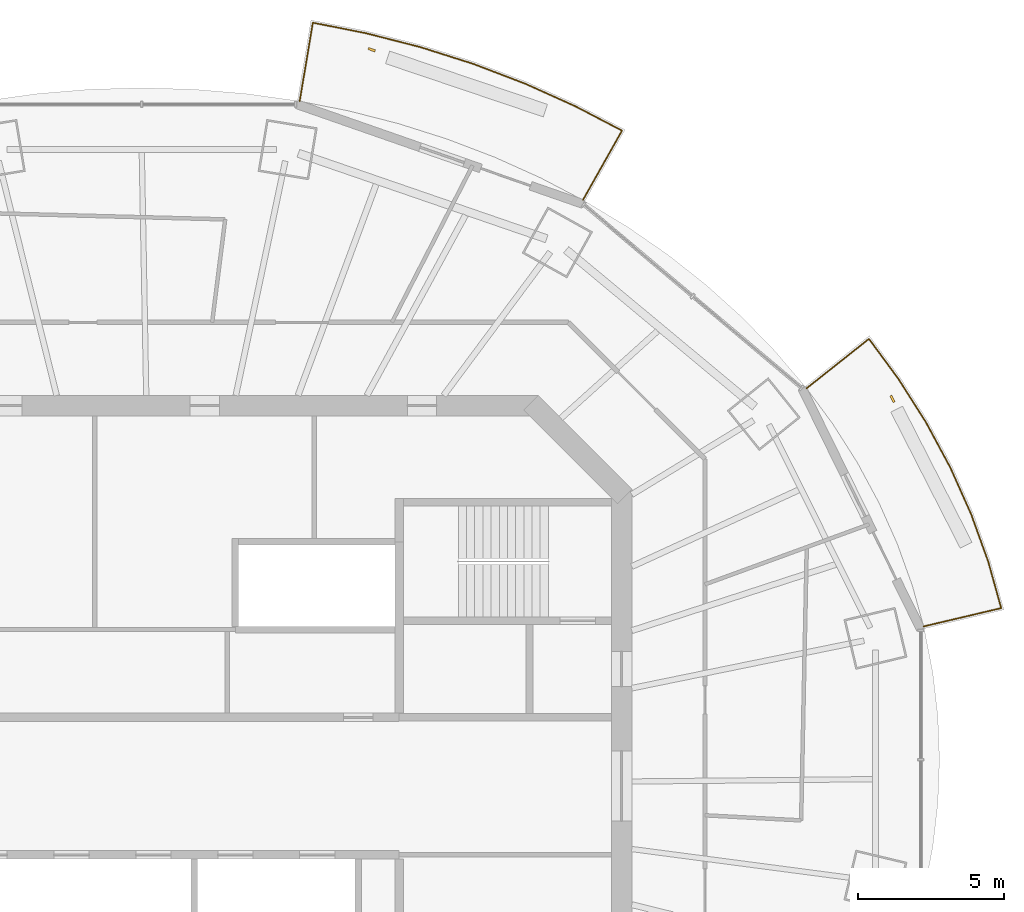
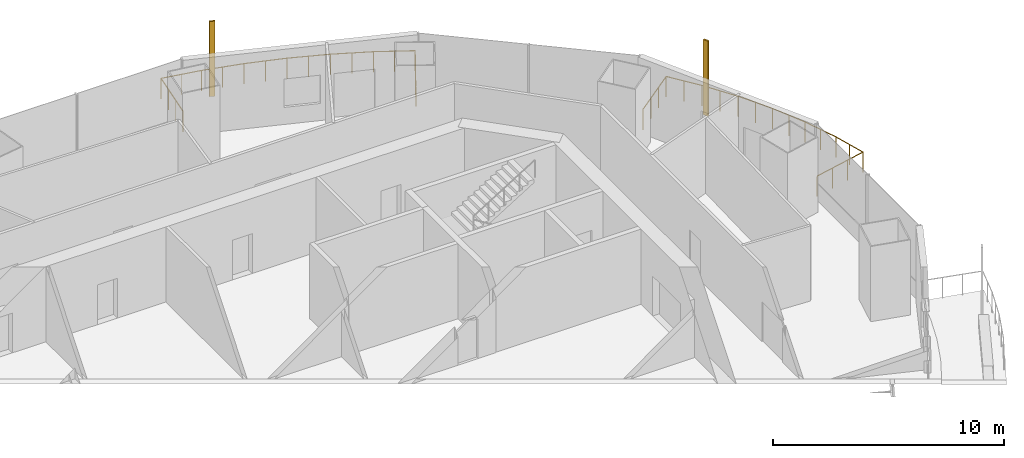
# One storey, part 15 of 16: 2 railings, 2 shading devices.
"""IFC4 building model written with IfcOpenShell, lengths in metres."""

from ifc_helpers import new_model, si_unit, direction, frame, origin, origin_2d, place, context, subcontext, project, spatial, rectangle, circle, extrude, material, material_profile, profile_set, type_object, element, save


model = new_model("IFC4")

# Units and contexts
model_context = context("Model", 3, precision=1e-05, world=origin(), true_north=direction((0.0, 1.0)))
body_context = subcontext(model_context, "Body", "Model", "MODEL_VIEW")
ifc_project = project(units=[si_unit("LENGTHUNIT", "METRE"), si_unit("AREAUNIT", "SQUARE_METRE"), si_unit("VOLUMEUNIT", "CUBIC_METRE"), si_unit("PLANEANGLEUNIT", "RADIAN"), si_unit("MASSUNIT", "GRAM", prefix="KILO")], contexts=[model_context])

# Site, building, storey
site_placement = place(None, origin())
site = spatial("IfcSite", under=ifc_project, at=site_placement, CompositionType="ELEMENT")
building_placement = place(site_placement, origin())
building = spatial("IfcBuilding", under=site, at=building_placement, Name="Marenthal Gate Tower", CompositionType="ELEMENT")
storey_placement = place(building_placement, frame((0.0, 0.0, 334.300048828125)))
storey = spatial("IfcBuildingStorey", under=building, at=storey_placement, Name="L75", CompositionType="ELEMENT", Elevation=334.300048828125)

# Railings
ifc_material_1 = material(Name="Stainless steel", Category="steel")
railing_type = type_object("IfcRailingType", Name="Balcony guard 1100", PredefinedType="GUARDRAIL", material=ifc_material_1)
railing_1_placement = place(storey_placement, frame((22.322998046875, 13.59423828125, 0.0)))
element("IfcRailing", 1, at=railing_1_placement, inside=storey, type_object=railing_type, Name="Balcony guard L75 bay 1", PredefinedType="GUARDRAIL", context=body_context, shape_type="SweptSolid", body=[
    extrude(circle(Radius=0.02392578125, at=origin_2d()), frame((0.0, 0.0, 1.076171875), z_axis=(0.783569480419, 0.621129810329, -0.01471829055), x_axis=(-0.621197098339, 0.783654365786, 0.0)), (0.0, 0.0, 1.0), 2.720458984375),
    extrude(circle(Radius=0.02392578125, at=origin_2d()), frame((2.131591796875, 1.689697265625, 1.0361328125), z_axis=(0.592673479354, -0.805442826569, 0.0), x_axis=(0.805442826569, 0.592673479354, 0.0)), (0.0, 0.0, 1.0), 1.69580078125),
    extrude(circle(Radius=0.02392578125, at=origin_2d()), frame((3.13671875, 0.32373046875, 1.0361328125), z_axis=(0.535835828865, -0.844322192356, 0.0), x_axis=(0.844322192356, 0.535835828865, 0.0)), (0.0, 0.0, 1.0), 1.76318359375),
    extrude(circle(Radius=0.02392578125, at=origin_2d()), frame((4.08154296875, -1.1650390625, 1.0361328125), z_axis=(0.4738837096, -0.880587434487, 0.0), x_axis=(0.880587434487, 0.4738837096, 0.0)), (0.0, 0.0, 1.0), 1.751708984375),
    extrude(circle(Radius=0.02392578125, at=origin_2d()), frame((4.91162109375, -2.70751953125, 1.0361328125), z_axis=(0.40786794588, -0.91304092938, 0.0), x_axis=(0.91304092938, 0.40786794588, 0.0)), (0.0, 0.0, 1.0), 1.7412109375),
    extrude(circle(Radius=0.02392578125, at=origin_2d()), frame((5.621826171875, -4.29736328125, 1.0361328125), z_axis=(0.338924060667, -0.940813733478, 0.0), x_axis=(0.940813733478, 0.338924060667, 0.0)), (0.0, 0.0, 1.0), 1.732421875),
    extrude(circle(Radius=0.02392578125, at=origin_2d()), frame((6.208984375, -5.92724609375, 1.0361328125), z_axis=(0.268600452735, -0.963251678841, 0.0), x_axis=(0.963251678841, 0.268600452735, 0.0)), (0.0, 0.0, 1.0), 1.645263671875),
    extrude(circle(Radius=0.02392578125, at=origin_2d()), frame((6.65087890625, -7.511962890625, 1.0361328125), z_axis=(-0.97315730439, -0.229669790827, 0.014718970573), x_axis=(0.229694673631, -0.973262737859, 0.0)), (0.0, 0.0, 1.0), 2.72021484375),
    extrude(circle(Radius=0.02099609375, at=origin_2d()), origin(), (0.0, 0.0, 1.0), 1.052001953125),
    extrude(circle(Radius=0.02099609375, at=origin_2d()), frame((0.71044921875, 0.563232421875, -0.013427734375)), (0.0, 0.0, 1.0), 1.052001953125),
    extrude(circle(Radius=0.02099609375, at=origin_2d()), frame((1.421142578125, 1.12646484375, -0.026611328125)), (0.0, 0.0, 1.0), 1.052001953125),
    extrude(circle(Radius=0.02099609375, at=origin_2d()), frame((2.131591796875, 1.689697265625, -0.0400390625)), (0.0, 0.0, 1.0), 1.052001953125),
    extrude(circle(Radius=0.02099609375, at=origin_2d()), frame((2.63427734375, 1.0068359375, -0.0400390625)), (0.0, 0.0, 1.0), 1.052001953125),
    extrude(circle(Radius=0.02099609375, at=origin_2d()), frame((3.13671875, 0.32373046875, -0.0400390625)), (0.0, 0.0, 1.0), 1.052001953125),
    extrude(circle(Radius=0.02099609375, at=origin_2d()), frame((3.609130859375, -0.420654296875, -0.0400390625)), (0.0, 0.0, 1.0), 1.052001953125),
    extrude(circle(Radius=0.02099609375, at=origin_2d()), frame((4.08154296875, -1.1650390625, -0.0400390625)), (0.0, 0.0, 1.0), 1.052001953125),
    extrude(circle(Radius=0.02099609375, at=origin_2d()), frame((4.49658203125, -1.936279296875, -0.0400390625)), (0.0, 0.0, 1.0), 1.052001953125),
    extrude(circle(Radius=0.02099609375, at=origin_2d()), frame((4.91162109375, -2.70751953125, -0.0400390625)), (0.0, 0.0, 1.0), 1.052001953125),
    extrude(circle(Radius=0.02099609375, at=origin_2d()), frame((5.2666015625, -3.50244140625, -0.0400390625)), (0.0, 0.0, 1.0), 1.052001953125),
    extrude(circle(Radius=0.02099609375, at=origin_2d()), frame((5.621826171875, -4.29736328125, -0.0400390625)), (0.0, 0.0, 1.0), 1.052001953125),
    extrude(circle(Radius=0.02099609375, at=origin_2d()), frame((5.91552734375, -5.1123046875, -0.0400390625)), (0.0, 0.0, 1.0), 1.052001953125),
    extrude(circle(Radius=0.02099609375, at=origin_2d()), frame((6.208984375, -5.92724609375, -0.0400390625)), (0.0, 0.0, 1.0), 1.052001953125),
    extrude(circle(Radius=0.02099609375, at=origin_2d()), frame((6.429931640625, -6.7197265625, -0.0400390625)), (0.0, 0.0, 1.0), 1.052001953125),
    extrude(circle(Radius=0.02099609375, at=origin_2d()), frame((6.65087890625, -7.511962890625, -0.0400390625)), (0.0, 0.0, 1.0), 1.052001953125),
    extrude(circle(Radius=0.02099609375, at=origin_2d()), frame((5.7685546875, -7.72021484375, -0.026611328125)), (0.0, 0.0, 1.0), 1.052001953125),
    extrude(circle(Radius=0.02099609375, at=origin_2d()), frame((4.885986328125, -7.928466796875, -0.013427734375)), (0.0, 0.0, 1.0), 1.052001953125),
    extrude(circle(Radius=0.02099609375, at=origin_2d()), frame((4.003662109375, -8.13671875, 0.0)), (0.0, 0.0, 1.0), 1.052001953125),
])
railing_2_placement = place(storey_placement, frame((4.998779296875, 23.407470703125, 0.0)))
element("IfcRailing", 2, at=railing_2_placement, inside=storey, type_object=railing_type, Name="Balcony guard L75 bay 3", PredefinedType="GUARDRAIL", context=body_context, shape_type="SweptSolid", body=[
    extrude(circle(Radius=0.02392578125, at=origin_2d()), frame((0.0, 0.0, 1.076171875), z_axis=(0.165312526275, 0.986131399953, -0.014718379104), x_axis=(-0.98623823047, 0.165330435068, 0.0)), (0.0, 0.0, 1.0), 2.720458984375),
    extrude(circle(Radius=0.02392578125, at=origin_2d()), frame((0.44970703125, 2.6826171875, 1.0361328125), z_axis=(0.981021353845, -0.193899724859, 0.0), x_axis=(0.193899724859, 0.981021353845, 0.0)), (0.0, 0.0, 1.0), 1.84326171875),
    extrude(circle(Radius=0.02392578125, at=origin_2d()), frame((2.258056640625, 2.3251953125, 1.0361328125), z_axis=(0.96890861354, -0.24741887278, 0.0), x_axis=(0.24741887278, 0.96890861354, 0.0)), (0.0, 0.0, 1.0), 1.916259765625),
    extrude(circle(Radius=0.02392578125, at=origin_2d()), frame((4.11474609375, 1.85107421875, 1.0361328125), z_axis=(0.953251321023, -0.302178620963, 0.0), x_axis=(0.302178620963, 0.953251321023, 0.0)), (0.0, 0.0, 1.0), 1.907470703125),
    extrude(circle(Radius=0.02392578125, at=origin_2d()), frame((5.93310546875, 1.274658203125, 1.0361328125), z_axis=(0.934293977025, -0.356503526623, 0.0), x_axis=(0.356503526623, 0.934293977025, 0.0)), (0.0, 0.0, 1.0), 1.897705078125),
    extrude(circle(Radius=0.02392578125, at=origin_2d()), frame((7.7060546875, 0.59814453125, 1.0361328125), z_axis=(0.91188517307, -0.410445405792, 0.0), x_axis=(0.410445405792, 0.91188517307, 0.0)), (0.0, 0.0, 1.0), 1.88623046875),
    extrude(circle(Radius=0.02392578125, at=origin_2d()), frame((9.426025390625, -0.176025390625, 1.0361328125), z_axis=(0.886478038646, -0.462770663503, 0.0), x_axis=(0.462770663503, 0.886478038646, 0.0)), (0.0, 0.0, 1.0), 1.793701171875),
    extrude(circle(Radius=0.02392578125, at=origin_2d()), frame((11.01611328125, -1.006103515625, 1.0361328125), z_axis=(-0.490672529522, -0.87121972637, 0.014719278369), x_axis=(0.871314119703, -0.490725692018, 0.0)), (0.0, 0.0, 1.0), 2.72021484375),
    extrude(circle(Radius=0.02099609375, at=origin_2d()), origin(), (0.0, 0.0, 1.0), 1.052001953125),
    extrude(circle(Radius=0.02099609375, at=origin_2d()), frame((0.14990234375, 0.894287109375, -0.013427734375)), (0.0, 0.0, 1.0), 1.052001953125),
    extrude(circle(Radius=0.02099609375, at=origin_2d()), frame((0.2998046875, 1.788330078125, -0.026611328125)), (0.0, 0.0, 1.0), 1.052001953125),
    extrude(circle(Radius=0.02099609375, at=origin_2d()), frame((0.44970703125, 2.6826171875, -0.0400390625)), (0.0, 0.0, 1.0), 1.052001953125),
    extrude(circle(Radius=0.02099609375, at=origin_2d()), frame((1.35400390625, 2.50390625, -0.0400390625)), (0.0, 0.0, 1.0), 1.052001953125),
    extrude(circle(Radius=0.02099609375, at=origin_2d()), frame((2.258056640625, 2.3251953125, -0.0400390625)), (0.0, 0.0, 1.0), 1.052001953125),
    extrude(circle(Radius=0.02099609375, at=origin_2d()), frame((3.1865234375, 2.088134765625, -0.0400390625)), (0.0, 0.0, 1.0), 1.052001953125),
    extrude(circle(Radius=0.02099609375, at=origin_2d()), frame((4.11474609375, 1.85107421875, -0.0400390625)), (0.0, 0.0, 1.0), 1.052001953125),
    extrude(circle(Radius=0.02099609375, at=origin_2d()), frame((5.02392578125, 1.56298828125, -0.0400390625)), (0.0, 0.0, 1.0), 1.052001953125),
    extrude(circle(Radius=0.02099609375, at=origin_2d()), frame((5.93310546875, 1.274658203125, -0.0400390625)), (0.0, 0.0, 1.0), 1.052001953125),
    extrude(circle(Radius=0.02099609375, at=origin_2d()), frame((6.819580078125, 0.9365234375, -0.0400390625)), (0.0, 0.0, 1.0), 1.052001953125),
    extrude(circle(Radius=0.02099609375, at=origin_2d()), frame((7.7060546875, 0.59814453125, -0.0400390625)), (0.0, 0.0, 1.0), 1.052001953125),
    extrude(circle(Radius=0.02099609375, at=origin_2d()), frame((8.56591796875, 0.2109375, -0.0400390625)), (0.0, 0.0, 1.0), 1.052001953125),
    extrude(circle(Radius=0.02099609375, at=origin_2d()), frame((9.426025390625, -0.176025390625, -0.0400390625)), (0.0, 0.0, 1.0), 1.052001953125),
    extrude(circle(Radius=0.02099609375, at=origin_2d()), frame((10.22119140625, -0.591064453125, -0.0400390625)), (0.0, 0.0, 1.0), 1.052001953125),
    extrude(circle(Radius=0.02099609375, at=origin_2d()), frame((11.01611328125, -1.006103515625, -0.0400390625)), (0.0, 0.0, 1.0), 1.052001953125),
    extrude(circle(Radius=0.02099609375, at=origin_2d()), frame((10.5712890625, -1.796142578125, -0.026611328125)), (0.0, 0.0, 1.0), 1.052001953125),
    extrude(circle(Radius=0.02099609375, at=origin_2d()), frame((10.126220703125, -2.5859375, -0.013427734375)), (0.0, 0.0, 1.0), 1.052001953125),
    extrude(circle(Radius=0.02099609375, at=origin_2d()), frame((9.681396484375, -3.3759765625, 0.0)), (0.0, 0.0, 1.0), 1.052001953125),
])

# Shading devices
ifc_material_2 = material(Name="Terracotta", Category="masonry")
ifc_material_profile = material_profile(ifc_material_2, rectangle(XDim=0.25, YDim=0.080078125, at=origin_2d()), Name="Terracotta baguette 250x80")
ifc_profile_set = profile_set([ifc_material_profile], Name="Terracotta")
shading_device_type = type_object("IfcShadingDeviceType", Name="Terracotta BAGUETTE SCREEN 250x80", PredefinedType="USERDEFINED", material=ifc_profile_set)
for number, where, z_axis, x_axis, name in (
    (3, (25.25830078125, 13.232421875, -0.0400390625), (0.0, 0.0, 1.0), (-0.441297921184, 0.897360654787, 0.0), "Terracotta BAGUETTE L75 bay 1R"),
    (4, (7.461181640625, 25.16748046875, -0.0400390625), (0.0, 0.0, 1.0), (-0.944185799872, 0.329413380602, 0.0), "Terracotta BAGUETTE L75 bay 3R"),
):
    element("IfcShadingDevice", number, at=place(storey_placement, frame(where, z_axis=z_axis, x_axis=x_axis)), inside=storey, type_object=shading_device_type, Name=name, ObjectType="BAGUETTE SCREEN", PredefinedType="USERDEFINED", context=body_context, shape_type="SweptSolid", body=[
        extrude(rectangle(XDim=0.25, YDim=0.080078125, at=origin_2d()), origin(), (0.0, 0.0, 1.0), 3.969970703125),
    ])

save(model, "model.ifc")
